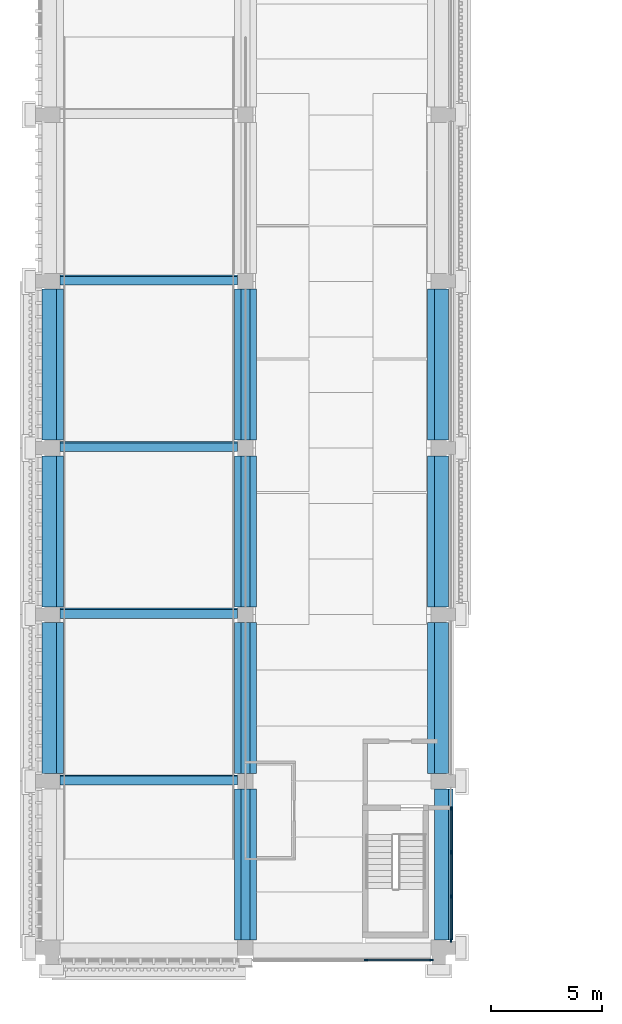
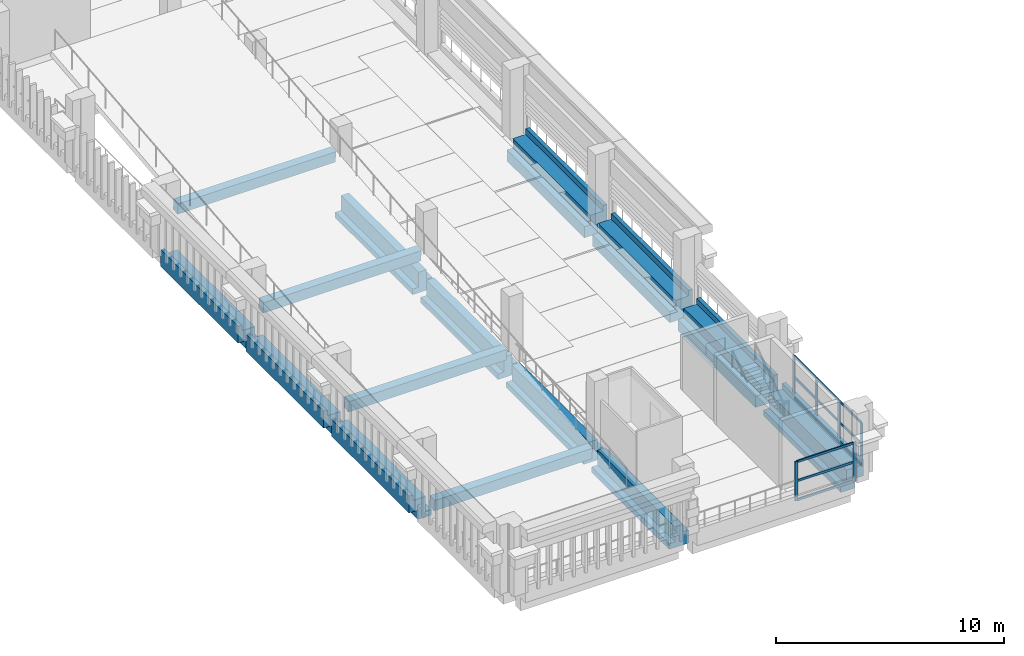
# One storey, part 2 of 25: 18 members, 15 beams, 2 elements without a shape of their own.
"""IFC4 building model written with IfcOpenShell, lengths in metres."""

from ifc_helpers import new_model, si_unit, direction, frame, origin, origin_2d, place, context, subcontext, project, spatial, polyline, rectangle, outline, extrude, material, layer, layer_set, material_profile, profile_set, type_object, element, aggregate, save


model = new_model("IFC4")

# Units and contexts
model_context = context("Model", 3, precision=1e-05, world=origin(), true_north=direction((0.0, 1.0)))
body_context = subcontext(model_context, "Body", "Model", "MODEL_VIEW")
ifc_project = project(units=[si_unit("LENGTHUNIT", "METRE"), si_unit("AREAUNIT", "SQUARE_METRE"), si_unit("VOLUMEUNIT", "CUBIC_METRE"), si_unit("PLANEANGLEUNIT", "RADIAN"), si_unit("MASSUNIT", "GRAM", prefix="KILO")], contexts=[model_context])

# Site, building, storey
site_placement = place(None, origin())
site = spatial("IfcSite", under=ifc_project, at=site_placement, CompositionType="ELEMENT")
building_placement = place(site_placement, origin())
building = spatial("IfcBuilding", under=site, at=building_placement, Name="Cour d'Honneur Mobility Palace", CompositionType="ELEMENT")
storey_placement = place(building_placement, frame((0.0, 0.0, 30.39990234375)))
storey = spatial("IfcBuildingStorey", under=building, at=storey_placement, Name="L08", CompositionType="ELEMENT", Elevation=30.39990234375)

# Curtain wall, members
ifc_material_1 = material(Name="Aluminium and glass", Category="aluminium")
ifc_layer = layer(ifc_material_1, 0.10009765625)
ifc_layer_set = layer_set([ifc_layer], Name="Aluminium and glass")
curtain_wall_type = type_object("IfcCurtainWallType", Name="Curtain wall run", PredefinedType="NOTDEFINED", material=ifc_layer_set)
curtain_wall_1_placement = place(storey_placement, origin())
curtain_wall_1 = element("IfcCurtainWall", 1, at=curtain_wall_1_placement, inside=storey, type_object=curtain_wall_type, Name="Curtain wall CW-167", PredefinedType="NOTDEFINED")
ifc_material_2 = material(Name="Aluminium", Category="aluminium")
ifc_material_profile_1 = material_profile(ifc_material_2, rectangle(XDim=0.06005859375, YDim=0.159912109375, at=origin_2d()), Name="Curtain wall mullion")
ifc_profile_set_1 = profile_set([ifc_material_profile_1], Name="Aluminium")
member_type_1 = type_object("IfcMemberType", Name="Curtain wall mullion", PredefinedType="MULLION", material=ifc_profile_set_1)
member_1_placement = place(storey_placement, frame((14.1298828125, -0.550048828125, 0.0), z_axis=(0.0, 0.0, 1.0), x_axis=(0.0, 1.0, 0.0)))
member_1 = element("IfcMember", 2, at=member_1_placement, type_object=member_type_1, Name="CW-167 mullion 1", PredefinedType="MULLION", context=body_context, shape_type="SweptSolid", body=[
    extrude(rectangle(XDim=0.06005859375, YDim=0.159912109375, at=origin_2d()), origin(), (0.0, 0.0, 1.0), 2.10009765625),
])
member_2_placement = place(storey_placement, frame((17.070068359375, -0.550048828125, 0.0), z_axis=(0.0, 0.0, 1.0), x_axis=(0.0, 1.0, 0.0)))
member_2 = element("IfcMember", 3, at=member_2_placement, type_object=member_type_1, Name="CW-167 mullion 2", PredefinedType="MULLION", context=body_context, shape_type="SweptSolid", body=[
    extrude(rectangle(XDim=0.06005859375, YDim=0.159912109375, at=origin_2d()), origin(), (0.0, 0.0, 1.0), 2.10009765625),
])

curtain_wall_2_placement = place(storey_placement, origin())
curtain_wall_2 = element("IfcCurtainWall", 4, at=curtain_wall_2_placement, inside=storey, type_object=curtain_wall_type, Name="Curtain wall CW-168", PredefinedType="NOTDEFINED")
member_3_placement = place(storey_placement, frame((17.949951171875, 0.330078125, 0.0), z_axis=(0.0, 0.0, 1.0), x_axis=(-1.0, 0.0, 0.0)))
member_3 = element("IfcMember", 5, at=member_3_placement, type_object=member_type_1, Name="CW-168 mullion 1", PredefinedType="MULLION", context=body_context, shape_type="SweptSolid", body=[
    extrude(rectangle(XDim=0.06005859375, YDim=0.159912109375, at=origin_2d()), origin(), (0.0, 0.0, 1.0), 2.300048828125),
])
member_4_placement = place(storey_placement, frame((17.949951171875, 2.300048828125, 0.0), z_axis=(0.0, 0.0, 1.0), x_axis=(-1.0, 0.0, 0.0)))
member_4 = element("IfcMember", 6, at=member_4_placement, type_object=member_type_1, Name="CW-168 mullion 2", PredefinedType="MULLION", context=body_context, shape_type="SweptSolid", body=[
    extrude(rectangle(XDim=0.06005859375, YDim=0.159912109375, at=origin_2d()), origin(), (0.0, 0.0, 1.0), 2.300048828125),
])
member_5_placement = place(storey_placement, frame((17.949951171875, 4.300048828125, 0.0), z_axis=(0.0, 0.0, 1.0), x_axis=(-1.0, 0.0, 0.0)))
member_5 = element("IfcMember", 7, at=member_5_placement, type_object=member_type_1, Name="CW-168 mullion 3", PredefinedType="MULLION", context=body_context, shape_type="SweptSolid", body=[
    extrude(rectangle(XDim=0.06005859375, YDim=0.159912109375, at=origin_2d()), origin(), (0.0, 0.0, 1.0), 2.300048828125),
])
member_6_placement = place(storey_placement, frame((17.949951171875, 6.27001953125, 0.0), z_axis=(0.0, 0.0, 1.0), x_axis=(-1.0, 0.0, 0.0)))
member_6 = element("IfcMember", 8, at=member_6_placement, type_object=member_type_1, Name="CW-168 mullion 4", PredefinedType="MULLION", context=body_context, shape_type="SweptSolid", body=[
    extrude(rectangle(XDim=0.06005859375, YDim=0.159912109375, at=origin_2d()), origin(), (0.0, 0.0, 1.0), 2.300048828125),
])

# Member
ifc_material_3 = material(Name="Aluminium", Category="aluminium")
ifc_material_profile_2 = material_profile(ifc_material_3, rectangle(XDim=0.06005859375, YDim=0.1201171875, at=origin_2d()), Name="Curtain wall transom")
ifc_profile_set_2 = profile_set([ifc_material_profile_2], Name="Aluminium")
member_type_2 = type_object("IfcMemberType", Name="Curtain wall transom", PredefinedType="USERDEFINED", material=ifc_profile_set_2)
member_7_placement = place(storey_placement, frame((14.159912109375, -0.550048828125, 0.030029296875), z_axis=(1.0, 0.0, 0.0), x_axis=(0.0, 1.0, 0.0)))
member_7 = element("IfcMember", 9, at=member_7_placement, type_object=member_type_2, Name="CW-167 transom 1.1", ObjectType="TRANSOM", PredefinedType="USERDEFINED", context=body_context, shape_type="SweptSolid", body=[
    extrude(rectangle(XDim=0.06005859375, YDim=0.1201171875, at=origin_2d()), origin(), (0.0, 0.0, 1.0), 2.880126953125),
])

member_8_placement = place(storey_placement, frame((14.159912109375, -0.550048828125, 1.050048828125), z_axis=(1.0, 0.0, 0.0), x_axis=(0.0, 1.0, 0.0)))
member_8 = element("IfcMember", 10, at=member_8_placement, type_object=member_type_2, Name="CW-167 transom 1.2", ObjectType="TRANSOM", PredefinedType="USERDEFINED", context=body_context, shape_type="SweptSolid", body=[
    extrude(rectangle(XDim=0.06005859375, YDim=0.1201171875, at=origin_2d()), origin(), (0.0, 0.0, 1.0), 2.880126953125),
])

member_9_placement = place(storey_placement, frame((14.159912109375, -0.550048828125, 2.070068359375), z_axis=(1.0, 0.0, 0.0), x_axis=(0.0, 1.0, 0.0)))
member_9 = element("IfcMember", 11, at=member_9_placement, type_object=member_type_2, Name="CW-167 transom 1.3", ObjectType="TRANSOM", PredefinedType="USERDEFINED", context=body_context, shape_type="SweptSolid", body=[
    extrude(rectangle(XDim=0.06005859375, YDim=0.1201171875, at=origin_2d()), origin(), (0.0, 0.0, 1.0), 2.880126953125),
])

aggregate(curtain_wall_1, [member_1, member_2, member_7, member_8, member_9])

member_10_placement = place(storey_placement, frame((17.949951171875, 0.360107421875, 0.030029296875), z_axis=(0.0, 1.0, 0.0), x_axis=(-1.0, 0.0, 0.0)))
member_10 = element("IfcMember", 12, at=member_10_placement, type_object=member_type_2, Name="CW-168 transom 1.1", ObjectType="TRANSOM", PredefinedType="USERDEFINED", context=body_context, shape_type="SweptSolid", body=[
    extrude(rectangle(XDim=0.06005859375, YDim=0.1201171875, at=origin_2d()), origin(), (0.0, 0.0, 1.0), 1.909912109375),
])

member_11_placement = place(storey_placement, frame((17.949951171875, 0.360107421875, 1.150146484375), z_axis=(0.0, 1.0, 0.0), x_axis=(-1.0, 0.0, 0.0)))
member_11 = element("IfcMember", 13, at=member_11_placement, type_object=member_type_2, Name="CW-168 transom 1.2", ObjectType="TRANSOM", PredefinedType="USERDEFINED", context=body_context, shape_type="SweptSolid", body=[
    extrude(rectangle(XDim=0.06005859375, YDim=0.1201171875, at=origin_2d()), origin(), (0.0, 0.0, 1.0), 1.909912109375),
])

member_12_placement = place(storey_placement, frame((17.949951171875, 0.360107421875, 2.27001953125), z_axis=(0.0, 1.0, 0.0), x_axis=(-1.0, 0.0, 0.0)))
member_12 = element("IfcMember", 14, at=member_12_placement, type_object=member_type_2, Name="CW-168 transom 1.3", ObjectType="TRANSOM", PredefinedType="USERDEFINED", context=body_context, shape_type="SweptSolid", body=[
    extrude(rectangle(XDim=0.06005859375, YDim=0.1201171875, at=origin_2d()), origin(), (0.0, 0.0, 1.0), 1.909912109375),
])

member_13_placement = place(storey_placement, frame((17.949951171875, 2.330078125, 0.030029296875), z_axis=(0.0, 1.0, 0.0), x_axis=(-1.0, 0.0, 0.0)))
member_13 = element("IfcMember", 15, at=member_13_placement, type_object=member_type_2, Name="CW-168 transom 2.1", ObjectType="TRANSOM", PredefinedType="USERDEFINED", context=body_context, shape_type="SweptSolid", body=[
    extrude(rectangle(XDim=0.06005859375, YDim=0.1201171875, at=origin_2d()), origin(), (0.0, 0.0, 1.0), 1.93994140625),
])

member_14_placement = place(storey_placement, frame((17.949951171875, 2.330078125, 1.150146484375), z_axis=(0.0, 1.0, 0.0), x_axis=(-1.0, 0.0, 0.0)))
member_14 = element("IfcMember", 16, at=member_14_placement, type_object=member_type_2, Name="CW-168 transom 2.2", ObjectType="TRANSOM", PredefinedType="USERDEFINED", context=body_context, shape_type="SweptSolid", body=[
    extrude(rectangle(XDim=0.06005859375, YDim=0.1201171875, at=origin_2d()), origin(), (0.0, 0.0, 1.0), 1.93994140625),
])

member_15_placement = place(storey_placement, frame((17.949951171875, 2.330078125, 2.27001953125), z_axis=(0.0, 1.0, 0.0), x_axis=(-1.0, 0.0, 0.0)))
member_15 = element("IfcMember", 17, at=member_15_placement, type_object=member_type_2, Name="CW-168 transom 2.3", ObjectType="TRANSOM", PredefinedType="USERDEFINED", context=body_context, shape_type="SweptSolid", body=[
    extrude(rectangle(XDim=0.06005859375, YDim=0.1201171875, at=origin_2d()), origin(), (0.0, 0.0, 1.0), 1.93994140625),
])

member_16_placement = place(storey_placement, frame((17.949951171875, 4.330078125, 0.030029296875), z_axis=(0.0, 1.0, 0.0), x_axis=(-1.0, 0.0, 0.0)))
member_16 = element("IfcMember", 18, at=member_16_placement, type_object=member_type_2, Name="CW-168 transom 3.1", ObjectType="TRANSOM", PredefinedType="USERDEFINED", context=body_context, shape_type="SweptSolid", body=[
    extrude(rectangle(XDim=0.06005859375, YDim=0.1201171875, at=origin_2d()), origin(), (0.0, 0.0, 1.0), 1.909912109375),
])

member_17_placement = place(storey_placement, frame((17.949951171875, 4.330078125, 1.150146484375), z_axis=(0.0, 1.0, 0.0), x_axis=(-1.0, 0.0, 0.0)))
member_17 = element("IfcMember", 19, at=member_17_placement, type_object=member_type_2, Name="CW-168 transom 3.2", ObjectType="TRANSOM", PredefinedType="USERDEFINED", context=body_context, shape_type="SweptSolid", body=[
    extrude(rectangle(XDim=0.06005859375, YDim=0.1201171875, at=origin_2d()), origin(), (0.0, 0.0, 1.0), 1.909912109375),
])

member_18_placement = place(storey_placement, frame((17.949951171875, 4.330078125, 2.27001953125), z_axis=(0.0, 1.0, 0.0), x_axis=(-1.0, 0.0, 0.0)))
member_18 = element("IfcMember", 20, at=member_18_placement, type_object=member_type_2, Name="CW-168 transom 3.3", ObjectType="TRANSOM", PredefinedType="USERDEFINED", context=body_context, shape_type="SweptSolid", body=[
    extrude(rectangle(XDim=0.06005859375, YDim=0.1201171875, at=origin_2d()), origin(), (0.0, 0.0, 1.0), 1.909912109375),
])

aggregate(curtain_wall_2, [member_3, member_4, member_5, member_6, member_10, member_11, member_12, member_13, member_14, member_15, member_16, member_17, member_18])

# Beams
ifc_material_4 = material(Name="Concrete C45", Category="concrete")
ifc_material_profile_3 = material_profile(ifc_material_4, outline(polyline([(0.5, -1.10009765625), (0.5, -0.800048828125), (0.199951171875, -0.800048828125), (0.199951171875, 0.0), (-0.199951171875, 0.0), (-0.199951171875, -0.5), (-0.5, -0.5), (-0.5, -1.10009765625), (0.5, -1.10009765625)])), Name="Inverted Tee Beam 400x1100 ledges 300/600 plain")
ifc_profile_set_3 = profile_set([ifc_material_profile_3], Name="Concrete C45")
beam_type_1 = type_object("IfcBeamType", Name="Inverted Tee Beam 400x1100 ledges 300/600 plain", PredefinedType="T_BEAM", material=ifc_profile_set_3)
for number, where, z_axis, x_axis, name in (
    (21, (8.699951171875, 7.85009765625, 0.0), (0.0, 1.0, 0.0), (-1.0, 0.0, 0.0), "Precast beam B11 B-C L08"),
    (22, (8.699951171875, 15.35009765625, 0.0), (0.0, 1.0, 0.0), (-1.0, 0.0, 0.0), "Precast beam B11 C-D L08"),
    (23, (8.699951171875, 22.85009765625, 0.0), (0.0, 1.0, 0.0), (-1.0, 0.0, 0.0), "Precast beam B11 D-E L08"),
):
    element("IfcBeam", number, at=place(storey_placement, frame(where, z_axis=z_axis, x_axis=x_axis)), inside=storey, type_object=beam_type_1, Name=name, PredefinedType="T_BEAM", context=body_context, shape_type="SweptSolid", body=[
        extrude(outline(polyline([(0.5, -1.10009765625), (0.5, -0.800048828125), (0.199951171875, -0.800048828125), (0.199951171875, 0.0), (-0.199951171875, 0.0), (-0.199951171875, -0.5), (-0.5, -0.5), (-0.5, -1.10009765625), (0.5, -1.10009765625)])), origin(), (0.0, 0.0, 1.0), 6.7998046875),
    ])
ifc_material_5 = material(Name="Concrete C45", Category="concrete")
ifc_material_profile_4 = material_profile(ifc_material_5, outline(polyline([(0.5, -1.10009765625), (0.5, -0.800048828125), (0.199951171875, -0.800048828125), (0.199951171875, 0.0), (-0.199951171875, 0.0), (-0.199951171875, -0.39990234375), (-0.5, -0.39990234375), (-0.5, -1.10009765625), (0.5, -1.10009765625)])), Name="Inverted Tee Beam 400x1100 ledges 300/700 plain")
ifc_profile_set_4 = profile_set([ifc_material_profile_4], Name="Concrete C45")
beam_type_2 = type_object("IfcBeamType", Name="Inverted Tee Beam 400x1100 ledges 300/700 plain", PredefinedType="T_BEAM", material=ifc_profile_set_4)
beam_1_placement = place(storey_placement, frame((8.699951171875, 0.35009765625, 0.0), z_axis=(0.0, 1.0, 0.0), x_axis=(-1.0, 0.0, 0.0)))
element("IfcBeam", 24, at=beam_1_placement, inside=storey, type_object=beam_type_2, Name="Precast beam B10 A-B L08", PredefinedType="T_BEAM", context=body_context, shape_type="SweptSolid", body=[
    extrude(outline(polyline([(0.5, -1.10009765625), (0.5, -0.800048828125), (0.199951171875, -0.800048828125), (0.199951171875, 0.0), (-0.199951171875, 0.0), (-0.199951171875, -0.39990234375), (-0.5, -0.39990234375), (-0.5, -1.10009765625), (0.5, -1.10009765625)])), origin(), (0.0, 0.0, 1.0), 6.7998046875),
])
ifc_material_6 = material(Name="Concrete C45", Category="concrete")
ifc_material_profile_5 = material_profile(ifc_material_6, outline(polyline([(0.5, -1.10009765625), (0.5, -0.800048828125), (0.199951171875, -0.800048828125), (0.199951171875, 0.0), (-0.199951171875, 0.0), (-0.449951171875, 0.0), (-0.449951171875, 0.300048828125), (-0.64990234375, 0.300048828125), (-0.64990234375, -0.60009765625), (-0.199951171875, -0.60009765625), (-0.199951171875, -1.10009765625), (0.5, -1.10009765625)])), Name="Ledger Beam 400x1100 ledge left 300 facade right")
ifc_profile_set_5 = profile_set([ifc_material_profile_5], Name="Concrete C45")
beam_type_3 = type_object("IfcBeamType", Name="Ledger Beam 400x1100 ledge left 300 facade right", PredefinedType="BEAM", material=ifc_profile_set_5)
beam_2_placement = place(storey_placement, frame((17.39990234375, 0.35009765625, 0.0), z_axis=(0.0, 1.0, 0.0), x_axis=(-1.0, 0.0, 0.0)))
element("IfcBeam", 25, at=beam_2_placement, inside=storey, type_object=beam_type_3, Name="Precast beam B3 A-B L08", PredefinedType="BEAM", context=body_context, shape_type="SweptSolid", body=[
    extrude(outline(polyline([(0.5, -1.10009765625), (0.5, -0.800048828125), (0.199951171875, -0.800048828125), (0.199951171875, 0.0), (-0.199951171875, 0.0), (-0.449951171875, 0.0), (-0.449951171875, 0.300048828125), (-0.64990234375, 0.300048828125), (-0.64990234375, -0.60009765625), (-0.199951171875, -0.60009765625), (-0.199951171875, -1.10009765625), (0.5, -1.10009765625)])), origin(), (0.0, 0.0, 1.0), 6.7998046875),
])
ifc_material_7 = material(Name="Concrete C45", Category="concrete")
ifc_material_profile_6 = material_profile(ifc_material_7, outline(polyline([(0.5, -1.10009765625), (0.5, -0.5), (0.199951171875, -0.5), (0.199951171875, 0.0), (-0.199951171875, 0.0), (-0.449951171875, 0.0), (-0.449951171875, 0.300048828125), (-0.64990234375, 0.300048828125), (-0.64990234375, -0.60009765625), (-0.199951171875, -0.60009765625), (-0.199951171875, -1.10009765625), (0.5, -1.10009765625)])), Name="Ledger Beam 400x1100 ledge left 600 facade right")
ifc_profile_set_6 = profile_set([ifc_material_profile_6], Name="Concrete C45")
beam_type_4 = type_object("IfcBeamType", Name="Ledger Beam 400x1100 ledge left 600 facade right", PredefinedType="BEAM", material=ifc_profile_set_6)
for number, where, z_axis, x_axis, name in (
    (26, (17.39990234375, 7.85009765625, 0.0), (0.0, 1.0, 0.0), (-1.0, 0.0, 0.0), "Precast beam B12 B-C L08"),
    (27, (17.39990234375, 15.35009765625, 0.0), (0.0, 1.0, 0.0), (-1.0, 0.0, 0.0), "Precast beam B12 C-D L08"),
    (28, (17.39990234375, 22.85009765625, 0.0), (0.0, 1.0, 0.0), (-1.0, 0.0, 0.0), "Precast beam B12 D-E L08"),
):
    element("IfcBeam", number, at=place(storey_placement, frame(where, z_axis=z_axis, x_axis=x_axis)), inside=storey, type_object=beam_type_4, Name=name, PredefinedType="BEAM", context=body_context, shape_type="SweptSolid", body=[
        extrude(outline(polyline([(0.5, -1.10009765625), (0.5, -0.5), (0.199951171875, -0.5), (0.199951171875, 0.0), (-0.199951171875, 0.0), (-0.449951171875, 0.0), (-0.449951171875, 0.300048828125), (-0.64990234375, 0.300048828125), (-0.64990234375, -0.60009765625), (-0.199951171875, -0.60009765625), (-0.199951171875, -1.10009765625), (0.5, -1.10009765625)])), origin(), (0.0, 0.0, 1.0), 6.7998046875),
    ])
ifc_material_8 = material(Name="Concrete C45", Category="concrete")
ifc_material_profile_7 = material_profile(ifc_material_8, outline(polyline([(0.199951171875, -1.10009765625), (0.199951171875, -0.60009765625), (0.64990234375, -0.60009765625), (0.64990234375, 0.300048828125), (0.449951171875, 0.300048828125), (0.449951171875, 0.0), (0.199951171875, 0.0), (-0.199951171875, 0.0), (-0.199951171875, -0.800048828125), (-0.5, -0.800048828125), (-0.5, -1.10009765625), (0.199951171875, -1.10009765625)])), Name="Ledger Beam 400x1100 ledge right 300 facade left")
ifc_profile_set_7 = profile_set([ifc_material_profile_7], Name="Concrete C45")
beam_type_5 = type_object("IfcBeamType", Name="Ledger Beam 400x1100 ledge right 300 facade left", PredefinedType="BEAM", material=ifc_profile_set_7)
for number, where, z_axis, x_axis, name in (
    (29, (0.0, 7.85009765625, 0.0), (0.0, 1.0, 0.0), (-1.0, 0.0, 0.0), "Precast beam B6 B-C L08"),
    (30, (0.0, 15.35009765625, 0.0), (0.0, 1.0, 0.0), (-1.0, 0.0, 0.0), "Precast beam B6 C-D L08"),
    (31, (0.0, 22.85009765625, 0.0), (0.0, 1.0, 0.0), (-1.0, 0.0, 0.0), "Precast beam B6 D-E L08"),
):
    element("IfcBeam", number, at=place(storey_placement, frame(where, z_axis=z_axis, x_axis=x_axis)), inside=storey, type_object=beam_type_5, Name=name, PredefinedType="BEAM", context=body_context, shape_type="SweptSolid", body=[
        extrude(outline(polyline([(0.199951171875, -1.10009765625), (0.199951171875, -0.60009765625), (0.64990234375, -0.60009765625), (0.64990234375, 0.300048828125), (0.449951171875, 0.300048828125), (0.449951171875, 0.0), (0.199951171875, 0.0), (-0.199951171875, 0.0), (-0.199951171875, -0.800048828125), (-0.5, -0.800048828125), (-0.5, -1.10009765625), (0.199951171875, -1.10009765625)])), origin(), (0.0, 0.0, 1.0), 6.7998046875),
    ])
ifc_material_9 = material(Name="Concrete C40", Category="concrete")
ifc_material_profile_8 = material_profile(ifc_material_9, rectangle(XDim=0.39990234375, YDim=0.60009765625, at=origin_2d()), Name="Ramp cross beam 400x600")
ifc_profile_set_8 = profile_set([ifc_material_profile_8], Name="Concrete C40")
beam_type_6 = type_object("IfcBeamType", Name="Ramp cross beam 400x600", PredefinedType="BEAM", material=ifc_profile_set_8)
for number, where, z_axis, x_axis, name in (
    (32, (0.35009765625, 7.559814453125, -0.246826171875), (1.0, 0.0, 0.0), (0.0, 0.995037190449, 0.099503716633), "Ramp cross beam SW.R8-1"),
    (33, (0.35009765625, 15.059814453125, 0.503173828125), (1.0, 0.0, 0.0), (0.0, 0.995037190449, 0.099503716633), "Ramp cross beam SW.R8-2"),
    (34, (0.35009765625, 22.559814453125, 1.253173828125), (1.0, 0.0, 0.0), (0.0, 0.995037190449, 0.099503716633), "Ramp cross beam SW.R8-3"),
    (35, (0.35009765625, 30.059814453125, 2.003173828125), (1.0, 0.0, 0.0), (0.0, 0.995037190449, 0.099503716633), "Ramp cross beam SW.R8-4"),
):
    element("IfcBeam", number, at=place(storey_placement, frame(where, z_axis=z_axis, x_axis=x_axis)), inside=storey, type_object=beam_type_6, Name=name, PredefinedType="BEAM", context=body_context, shape_type="SweptSolid", body=[
        extrude(rectangle(XDim=0.39990234375, YDim=0.60009765625, at=origin_2d()), origin(), (0.0, 0.0, 1.0), 8.0),
    ])

save(model, "model.ifc")
